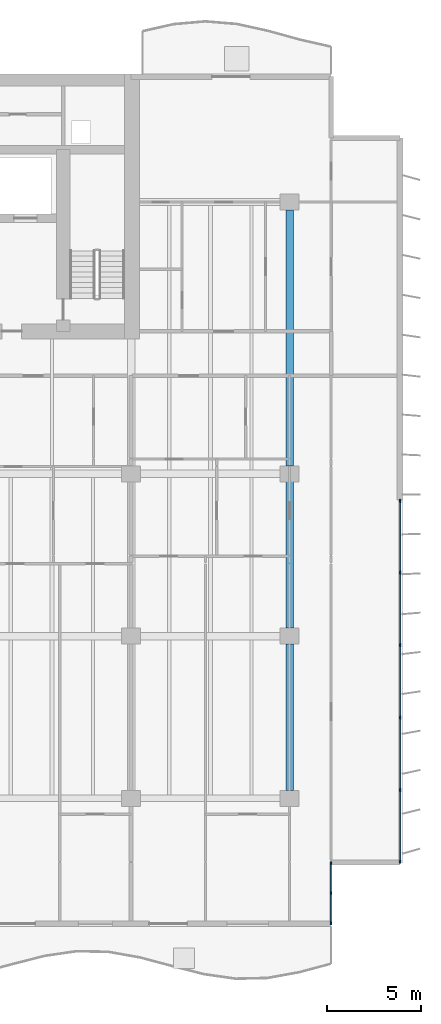
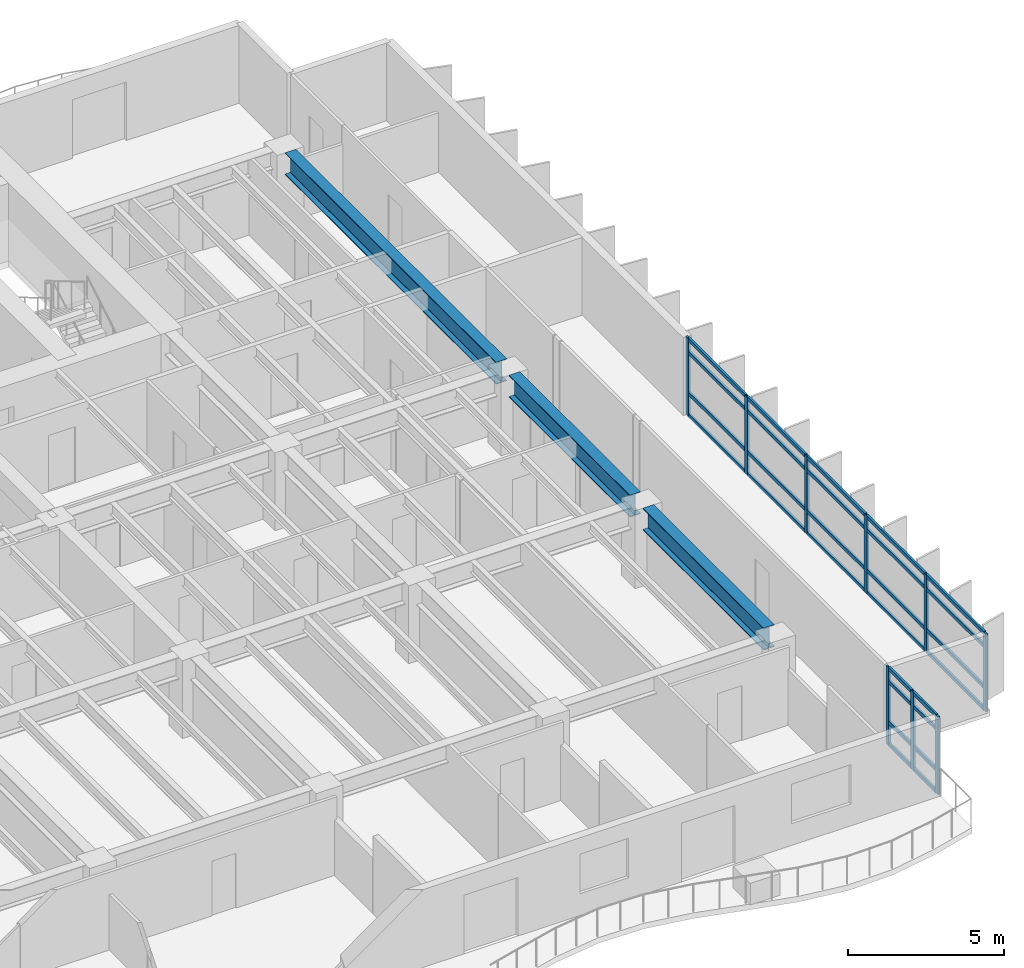
# One storey, part 4 of 17: 37 members, 3 beams, 2 elements without a shape of their own.
"""IFC4 building model written with IfcOpenShell, lengths in metres."""

from ifc_helpers import new_model, si_unit, direction, frame, origin, origin_2d, place, context, subcontext, project, spatial, rectangle, i_section, extrude, material, layer, layer_set, material_profile, profile_set, type_object, element, aggregate, save


model = new_model("IFC4")

# Units and contexts
model_context = context("Model", 3, precision=1e-05, world=origin(), true_north=direction((0.0, 1.0)))
body_context = subcontext(model_context, "Body", "Model", "MODEL_VIEW")
ifc_project = project(units=[si_unit("LENGTHUNIT", "METRE"), si_unit("AREAUNIT", "SQUARE_METRE"), si_unit("VOLUMEUNIT", "CUBIC_METRE"), si_unit("PLANEANGLEUNIT", "RADIAN"), si_unit("MASSUNIT", "GRAM", prefix="KILO")], contexts=[model_context])

# Site, building, storey
site_placement = place(None, origin())
site = spatial("IfcSite", under=ifc_project, at=site_placement, CompositionType="ELEMENT")
building_placement = place(site_placement, origin())
building = spatial("IfcBuilding", under=site, at=building_placement, Name="Caelmar Bay Residences", CompositionType="ELEMENT")
storey_placement = place(building_placement, frame((0.0, 0.0, 109.199951171875)))
storey = spatial("IfcBuildingStorey", under=building, at=storey_placement, Name="L29", CompositionType="ELEMENT", Elevation=109.199951171875)

# Beams
ifc_material_1 = material(Name="Steel ASTM A992 Grade 50", Category="steel")
ifc_material_profile_1 = material_profile(ifc_material_1, i_section(OverallWidth=0.40087890625, OverallDepth=0.861083984375, WebThickness=0.019775390625, FlangeThickness=0.032470703125, FilletRadius=0.017822265625, at=origin_2d()), Name="W33X221")
ifc_profile_set_1 = profile_set([ifc_material_profile_1], Name="Steel ASTM A992 Grade 50")
beam_type = type_object("IfcBeamType", Name="BM-GRD-W33X221", PredefinedType="BEAM", material=ifc_profile_set_1)
for number, where, z_axis, x_axis, name in (
    (1, (67.89990234375, 12.614990234375, 2.61962890625), (0.0, 1.0, 0.0), (-1.0, 0.0, 0.0), "L29 North-South Girder X=67.90 (12.2-20.8)"),
    (2, (67.89990234375, 21.215087890625, 2.61962890625), (0.0, 1.0, 0.0), (-1.0, 0.0, 0.0), "L29 North-South Girder X=67.90 (20.8-29.4)"),
):
    element("IfcBeam", number, at=place(storey_placement, frame(where, z_axis=z_axis, x_axis=x_axis)), inside=storey, type_object=beam_type, Name=name, PredefinedType="BEAM", context=body_context, shape_type="SweptSolid", body=[
        extrude(i_section(OverallWidth=0.40087890625, OverallDepth=0.861083984375, WebThickness=0.019775390625, FlangeThickness=0.032470703125, FilletRadius=0.017822265625, at=origin_2d()), origin(), (0.0, 0.0, 1.0), 7.77001953125),
    ])
beam_placement = place(storey_placement, frame((67.89990234375, 29.81494140625, 2.61962890625), z_axis=(0.0, 1.0, 0.0), x_axis=(-1.0, 0.0, 0.0)))
element("IfcBeam", 3, at=beam_placement, inside=storey, type_object=beam_type, Name="L29 North-South Girder X=67.90 (29.4-43.8)", PredefinedType="BEAM", context=body_context, shape_type="SweptSolid", body=[
    extrude(i_section(OverallWidth=0.40087890625, OverallDepth=0.861083984375, WebThickness=0.019775390625, FlangeThickness=0.032470703125, FilletRadius=0.017822265625, at=origin_2d()), origin(), (0.0, 0.0, 1.0), 13.570068359375),
])

# Curtain wall, members
ifc_material_2 = material(Name="Anodised bronze aluminium 6063-T6 and laminated glass", Category="aluminium")
ifc_layer_1 = layer(ifc_material_2, 0.179931640625)
ifc_layer_set_1 = layer_set([ifc_layer_1], Name="Anodised bronze aluminium 6063-T6 and laminated glass")
curtain_wall_type_1 = type_object("IfcCurtainWallType", Name="CW6-NTC", PredefinedType="NOTDEFINED", material=ifc_layer_set_1)
curtain_wall_1_placement = place(storey_placement, origin())
curtain_wall_1 = element("IfcCurtainWall", 4, at=curtain_wall_1_placement, inside=storey, type_object=curtain_wall_type_1, Name="CW6 curtain wall L29", PredefinedType="NOTDEFINED")
ifc_material_3 = material(Name="Anodised bronze aluminium 6063-T6", Category="aluminium")
ifc_material_profile_2 = material_profile(ifc_material_3, rectangle(XDim=0.080078125, YDim=0.179931640625, at=origin_2d()), Name="CWM-80X180")
ifc_profile_set_2 = profile_set([ifc_material_profile_2], Name="Anodised bronze aluminium 6063-T6")
member_type_1 = type_object("IfcMemberType", Name="CWM-180", PredefinedType="MULLION", material=ifc_profile_set_2)
member_1_placement = place(storey_placement, frame((70.10009765625, 5.590087890625, 0.0), z_axis=(0.0, 0.0, 1.0), x_axis=(-1.0, 0.0, 0.0)))
member_1 = element("IfcMember", 5, at=member_1_placement, type_object=member_type_1, Name="CW6 mullion 1", PredefinedType="MULLION", context=body_context, shape_type="SweptSolid", body=[
    extrude(rectangle(XDim=0.080078125, YDim=0.179931640625, at=origin_2d()), origin(), (0.0, 0.0, 1.0), 3.050048828125),
])
member_2_placement = place(storey_placement, frame((70.10009765625, 7.175048828125, 0.0), z_axis=(0.0, 0.0, 1.0), x_axis=(-1.0, 0.0, 0.0)))
member_2 = element("IfcMember", 6, at=member_2_placement, type_object=member_type_1, Name="CW6 mullion 2", PredefinedType="MULLION", context=body_context, shape_type="SweptSolid", body=[
    extrude(rectangle(XDim=0.080078125, YDim=0.179931640625, at=origin_2d()), origin(), (0.0, 0.0, 1.0), 3.050048828125),
])
member_3_placement = place(storey_placement, frame((70.10009765625, 8.760009765625, 0.0), z_axis=(0.0, 0.0, 1.0), x_axis=(-1.0, 0.0, 0.0)))
member_3 = element("IfcMember", 7, at=member_3_placement, type_object=member_type_1, Name="CW6 mullion 3", PredefinedType="MULLION", context=body_context, shape_type="SweptSolid", body=[
    extrude(rectangle(XDim=0.080078125, YDim=0.179931640625, at=origin_2d()), origin(), (0.0, 0.0, 1.0), 3.050048828125),
])

ifc_layer_2 = layer(ifc_material_2, 0.179931640625)
ifc_layer_set_2 = layer_set([ifc_layer_2], Name="Anodised bronze aluminium 6063-T6 and laminated glass")
curtain_wall_type_2 = type_object("IfcCurtainWallType", Name="CW3-Z2", PredefinedType="NOTDEFINED", material=ifc_layer_set_2)
curtain_wall_2_placement = place(storey_placement, origin())
curtain_wall_2 = element("IfcCurtainWall", 8, at=curtain_wall_2_placement, inside=storey, type_object=curtain_wall_type_2, Name="CW3 curtain wall L29", PredefinedType="NOTDEFINED")
member_4_placement = place(storey_placement, frame((73.75, 27.9599609375, 0.0), z_axis=(0.0, 0.0, 1.0), x_axis=(1.0, 0.0, 0.0)))
member_4 = element("IfcMember", 9, at=member_4_placement, type_object=member_type_1, Name="CW3 mullion 1", PredefinedType="MULLION", context=body_context, shape_type="SweptSolid", body=[
    extrude(rectangle(XDim=0.080078125, YDim=0.179931640625, at=origin_2d()), origin(), (0.0, 0.0, 1.0), 3.050048828125),
])
member_5_placement = place(storey_placement, frame((73.75, 24.159912109375, 0.0), z_axis=(0.0, 0.0, 1.0), x_axis=(1.0, 0.0, 0.0)))
member_5 = element("IfcMember", 10, at=member_5_placement, type_object=member_type_1, Name="CW3 mullion 2", PredefinedType="MULLION", context=body_context, shape_type="SweptSolid", body=[
    extrude(rectangle(XDim=0.080078125, YDim=0.179931640625, at=origin_2d()), origin(), (0.0, 0.0, 1.0), 3.050048828125),
])
member_6_placement = place(storey_placement, frame((73.75, 20.320068359375, 0.0), z_axis=(0.0, 0.0, 1.0), x_axis=(1.0, 0.0, 0.0)))
member_6 = element("IfcMember", 11, at=member_6_placement, type_object=member_type_1, Name="CW3 mullion 3", PredefinedType="MULLION", context=body_context, shape_type="SweptSolid", body=[
    extrude(rectangle(XDim=0.080078125, YDim=0.179931640625, at=origin_2d()), origin(), (0.0, 0.0, 1.0), 3.050048828125),
])
member_7_placement = place(storey_placement, frame((73.75, 16.47998046875, 0.0), z_axis=(0.0, 0.0, 1.0), x_axis=(1.0, 0.0, 0.0)))
member_7 = element("IfcMember", 12, at=member_7_placement, type_object=member_type_1, Name="CW3 mullion 4", PredefinedType="MULLION", context=body_context, shape_type="SweptSolid", body=[
    extrude(rectangle(XDim=0.080078125, YDim=0.179931640625, at=origin_2d()), origin(), (0.0, 0.0, 1.0), 3.050048828125),
])
member_8_placement = place(storey_placement, frame((73.75, 12.639892578125, 0.0), z_axis=(0.0, 0.0, 1.0), x_axis=(1.0, 0.0, 0.0)))
member_8 = element("IfcMember", 13, at=member_8_placement, type_object=member_type_1, Name="CW3 mullion 5", PredefinedType="MULLION", context=body_context, shape_type="SweptSolid", body=[
    extrude(rectangle(XDim=0.080078125, YDim=0.179931640625, at=origin_2d()), origin(), (0.0, 0.0, 1.0), 3.050048828125),
])
member_9_placement = place(storey_placement, frame((73.75, 8.840087890625, 0.0), z_axis=(0.0, 0.0, 1.0), x_axis=(1.0, 0.0, 0.0)))
member_9 = element("IfcMember", 14, at=member_9_placement, type_object=member_type_1, Name="CW3 mullion 6", PredefinedType="MULLION", context=body_context, shape_type="SweptSolid", body=[
    extrude(rectangle(XDim=0.080078125, YDim=0.179931640625, at=origin_2d()), origin(), (0.0, 0.0, 1.0), 3.050048828125),
])

# Member
ifc_material_profile_3 = material_profile(ifc_material_3, rectangle(XDim=0.080078125, YDim=0.139892578125, at=origin_2d()), Name="CWT-80X140")
ifc_profile_set_3 = profile_set([ifc_material_profile_3], Name="Anodised bronze aluminium 6063-T6")
member_type_2 = type_object("IfcMemberType", Name="CWT-140", PredefinedType="NOTDEFINED", material=ifc_profile_set_3)
member_10_placement = place(storey_placement, frame((70.10009765625, 5.6298828125, 0.0400390625), z_axis=(0.0, 1.0, 0.0), x_axis=(-1.0, 0.0, 0.0)))
member_10 = element("IfcMember", 15, at=member_10_placement, type_object=member_type_2, Name="CW6 transom 1.1", ObjectType="TRANSOM", PredefinedType="USERDEFINED", context=body_context, shape_type="SweptSolid", body=[
    extrude(rectangle(XDim=0.080078125, YDim=0.139892578125, at=origin_2d()), origin(), (0.0, 0.0, 1.0), 1.505126953125),
])

member_11_placement = place(storey_placement, frame((70.10009765625, 5.6298828125, 0.900146484375), z_axis=(0.0, 1.0, 0.0), x_axis=(-1.0, 0.0, 0.0)))
member_11 = element("IfcMember", 16, at=member_11_placement, type_object=member_type_2, Name="CW6 transom 1.2", ObjectType="TRANSOM", PredefinedType="USERDEFINED", context=body_context, shape_type="SweptSolid", body=[
    extrude(rectangle(XDim=0.080078125, YDim=0.139892578125, at=origin_2d()), origin(), (0.0, 0.0, 1.0), 1.505126953125),
])

member_12_placement = place(storey_placement, frame((70.10009765625, 5.6298828125, 2.5), z_axis=(0.0, 1.0, 0.0), x_axis=(-1.0, 0.0, 0.0)))
member_12 = element("IfcMember", 17, at=member_12_placement, type_object=member_type_2, Name="CW6 transom 1.3", ObjectType="TRANSOM", PredefinedType="USERDEFINED", context=body_context, shape_type="SweptSolid", body=[
    extrude(rectangle(XDim=0.080078125, YDim=0.139892578125, at=origin_2d()), origin(), (0.0, 0.0, 1.0), 1.505126953125),
])

member_13_placement = place(storey_placement, frame((70.10009765625, 5.6298828125, 3.010009765625), z_axis=(0.0, 1.0, 0.0), x_axis=(-1.0, 0.0, 0.0)))
member_13 = element("IfcMember", 18, at=member_13_placement, type_object=member_type_2, Name="CW6 transom 1.4", ObjectType="TRANSOM", PredefinedType="USERDEFINED", context=body_context, shape_type="SweptSolid", body=[
    extrude(rectangle(XDim=0.080078125, YDim=0.139892578125, at=origin_2d()), origin(), (0.0, 0.0, 1.0), 1.505126953125),
])

member_14_placement = place(storey_placement, frame((70.10009765625, 7.215087890625, 0.0400390625), z_axis=(0.0, 1.0, 0.0), x_axis=(-1.0, 0.0, 0.0)))
member_14 = element("IfcMember", 19, at=member_14_placement, type_object=member_type_2, Name="CW6 transom 2.1", ObjectType="TRANSOM", PredefinedType="USERDEFINED", context=body_context, shape_type="SweptSolid", body=[
    extrude(rectangle(XDim=0.080078125, YDim=0.139892578125, at=origin_2d()), origin(), (0.0, 0.0, 1.0), 1.5048828125),
])

member_15_placement = place(storey_placement, frame((70.10009765625, 7.215087890625, 0.900146484375), z_axis=(0.0, 1.0, 0.0), x_axis=(-1.0, 0.0, 0.0)))
member_15 = element("IfcMember", 20, at=member_15_placement, type_object=member_type_2, Name="CW6 transom 2.2", ObjectType="TRANSOM", PredefinedType="USERDEFINED", context=body_context, shape_type="SweptSolid", body=[
    extrude(rectangle(XDim=0.080078125, YDim=0.139892578125, at=origin_2d()), origin(), (0.0, 0.0, 1.0), 1.5048828125),
])

member_16_placement = place(storey_placement, frame((70.10009765625, 7.215087890625, 2.5), z_axis=(0.0, 1.0, 0.0), x_axis=(-1.0, 0.0, 0.0)))
member_16 = element("IfcMember", 21, at=member_16_placement, type_object=member_type_2, Name="CW6 transom 2.3", ObjectType="TRANSOM", PredefinedType="USERDEFINED", context=body_context, shape_type="SweptSolid", body=[
    extrude(rectangle(XDim=0.080078125, YDim=0.139892578125, at=origin_2d()), origin(), (0.0, 0.0, 1.0), 1.5048828125),
])

member_17_placement = place(storey_placement, frame((70.10009765625, 7.215087890625, 3.010009765625), z_axis=(0.0, 1.0, 0.0), x_axis=(-1.0, 0.0, 0.0)))
member_17 = element("IfcMember", 22, at=member_17_placement, type_object=member_type_2, Name="CW6 transom 2.4", ObjectType="TRANSOM", PredefinedType="USERDEFINED", context=body_context, shape_type="SweptSolid", body=[
    extrude(rectangle(XDim=0.080078125, YDim=0.139892578125, at=origin_2d()), origin(), (0.0, 0.0, 1.0), 1.5048828125),
])

aggregate(curtain_wall_1, [member_1, member_2, member_3, member_10, member_11, member_12, member_13, member_14, member_15, member_16, member_17])

member_18_placement = place(storey_placement, frame((73.75, 27.919921875, 0.0400390625), z_axis=(0.0, -1.0, 0.0), x_axis=(1.0, 0.0, 0.0)))
member_18 = element("IfcMember", 23, at=member_18_placement, type_object=member_type_2, Name="CW3 transom 1.1", ObjectType="TRANSOM", PredefinedType="USERDEFINED", context=body_context, shape_type="SweptSolid", body=[
    extrude(rectangle(XDim=0.080078125, YDim=0.139892578125, at=origin_2d()), origin(), (0.0, 0.0, 1.0), 3.719970703125),
])

member_19_placement = place(storey_placement, frame((73.75, 27.919921875, 0.900146484375), z_axis=(0.0, -1.0, 0.0), x_axis=(1.0, 0.0, 0.0)))
member_19 = element("IfcMember", 24, at=member_19_placement, type_object=member_type_2, Name="CW3 transom 1.2", ObjectType="TRANSOM", PredefinedType="USERDEFINED", context=body_context, shape_type="SweptSolid", body=[
    extrude(rectangle(XDim=0.080078125, YDim=0.139892578125, at=origin_2d()), origin(), (0.0, 0.0, 1.0), 3.719970703125),
])

member_20_placement = place(storey_placement, frame((73.75, 27.919921875, 2.5), z_axis=(0.0, -1.0, 0.0), x_axis=(1.0, 0.0, 0.0)))
member_20 = element("IfcMember", 25, at=member_20_placement, type_object=member_type_2, Name="CW3 transom 1.3", ObjectType="TRANSOM", PredefinedType="USERDEFINED", context=body_context, shape_type="SweptSolid", body=[
    extrude(rectangle(XDim=0.080078125, YDim=0.139892578125, at=origin_2d()), origin(), (0.0, 0.0, 1.0), 3.719970703125),
])

member_21_placement = place(storey_placement, frame((73.75, 27.919921875, 3.010009765625), z_axis=(0.0, -1.0, 0.0), x_axis=(1.0, 0.0, 0.0)))
member_21 = element("IfcMember", 26, at=member_21_placement, type_object=member_type_2, Name="CW3 transom 1.4", ObjectType="TRANSOM", PredefinedType="USERDEFINED", context=body_context, shape_type="SweptSolid", body=[
    extrude(rectangle(XDim=0.080078125, YDim=0.139892578125, at=origin_2d()), origin(), (0.0, 0.0, 1.0), 3.719970703125),
])

member_22_placement = place(storey_placement, frame((73.75, 24.1201171875, 0.0400390625), z_axis=(0.0, -1.0, 0.0), x_axis=(1.0, 0.0, 0.0)))
member_22 = element("IfcMember", 27, at=member_22_placement, type_object=member_type_2, Name="CW3 transom 2.1", ObjectType="TRANSOM", PredefinedType="USERDEFINED", context=body_context, shape_type="SweptSolid", body=[
    extrude(rectangle(XDim=0.080078125, YDim=0.139892578125, at=origin_2d()), origin(), (0.0, 0.0, 1.0), 3.760009765625),
])

member_23_placement = place(storey_placement, frame((73.75, 24.1201171875, 0.900146484375), z_axis=(0.0, -1.0, 0.0), x_axis=(1.0, 0.0, 0.0)))
member_23 = element("IfcMember", 28, at=member_23_placement, type_object=member_type_2, Name="CW3 transom 2.2", ObjectType="TRANSOM", PredefinedType="USERDEFINED", context=body_context, shape_type="SweptSolid", body=[
    extrude(rectangle(XDim=0.080078125, YDim=0.139892578125, at=origin_2d()), origin(), (0.0, 0.0, 1.0), 3.760009765625),
])

member_24_placement = place(storey_placement, frame((73.75, 24.1201171875, 2.5), z_axis=(0.0, -1.0, 0.0), x_axis=(1.0, 0.0, 0.0)))
member_24 = element("IfcMember", 29, at=member_24_placement, type_object=member_type_2, Name="CW3 transom 2.3", ObjectType="TRANSOM", PredefinedType="USERDEFINED", context=body_context, shape_type="SweptSolid", body=[
    extrude(rectangle(XDim=0.080078125, YDim=0.139892578125, at=origin_2d()), origin(), (0.0, 0.0, 1.0), 3.760009765625),
])

member_25_placement = place(storey_placement, frame((73.75, 24.1201171875, 3.010009765625), z_axis=(0.0, -1.0, 0.0), x_axis=(1.0, 0.0, 0.0)))
member_25 = element("IfcMember", 30, at=member_25_placement, type_object=member_type_2, Name="CW3 transom 2.4", ObjectType="TRANSOM", PredefinedType="USERDEFINED", context=body_context, shape_type="SweptSolid", body=[
    extrude(rectangle(XDim=0.080078125, YDim=0.139892578125, at=origin_2d()), origin(), (0.0, 0.0, 1.0), 3.760009765625),
])

member_26_placement = place(storey_placement, frame((73.75, 20.280029296875, 0.0400390625), z_axis=(0.0, -1.0, 0.0), x_axis=(1.0, 0.0, 0.0)))
member_26 = element("IfcMember", 31, at=member_26_placement, type_object=member_type_2, Name="CW3 transom 3.1", ObjectType="TRANSOM", PredefinedType="USERDEFINED", context=body_context, shape_type="SweptSolid", body=[
    extrude(rectangle(XDim=0.080078125, YDim=0.139892578125, at=origin_2d()), origin(), (0.0, 0.0, 1.0), 3.760009765625),
])

member_27_placement = place(storey_placement, frame((73.75, 20.280029296875, 0.900146484375), z_axis=(0.0, -1.0, 0.0), x_axis=(1.0, 0.0, 0.0)))
member_27 = element("IfcMember", 32, at=member_27_placement, type_object=member_type_2, Name="CW3 transom 3.2", ObjectType="TRANSOM", PredefinedType="USERDEFINED", context=body_context, shape_type="SweptSolid", body=[
    extrude(rectangle(XDim=0.080078125, YDim=0.139892578125, at=origin_2d()), origin(), (0.0, 0.0, 1.0), 3.760009765625),
])

member_28_placement = place(storey_placement, frame((73.75, 20.280029296875, 2.5), z_axis=(0.0, -1.0, 0.0), x_axis=(1.0, 0.0, 0.0)))
member_28 = element("IfcMember", 33, at=member_28_placement, type_object=member_type_2, Name="CW3 transom 3.3", ObjectType="TRANSOM", PredefinedType="USERDEFINED", context=body_context, shape_type="SweptSolid", body=[
    extrude(rectangle(XDim=0.080078125, YDim=0.139892578125, at=origin_2d()), origin(), (0.0, 0.0, 1.0), 3.760009765625),
])

member_29_placement = place(storey_placement, frame((73.75, 20.280029296875, 3.010009765625), z_axis=(0.0, -1.0, 0.0), x_axis=(1.0, 0.0, 0.0)))
member_29 = element("IfcMember", 34, at=member_29_placement, type_object=member_type_2, Name="CW3 transom 3.4", ObjectType="TRANSOM", PredefinedType="USERDEFINED", context=body_context, shape_type="SweptSolid", body=[
    extrude(rectangle(XDim=0.080078125, YDim=0.139892578125, at=origin_2d()), origin(), (0.0, 0.0, 1.0), 3.760009765625),
])

member_30_placement = place(storey_placement, frame((73.75, 16.43994140625, 0.0400390625), z_axis=(0.0, -1.0, 0.0), x_axis=(1.0, 0.0, 0.0)))
member_30 = element("IfcMember", 35, at=member_30_placement, type_object=member_type_2, Name="CW3 transom 4.1", ObjectType="TRANSOM", PredefinedType="USERDEFINED", context=body_context, shape_type="SweptSolid", body=[
    extrude(rectangle(XDim=0.080078125, YDim=0.139892578125, at=origin_2d()), origin(), (0.0, 0.0, 1.0), 3.760009765625),
])

member_31_placement = place(storey_placement, frame((73.75, 16.43994140625, 0.900146484375), z_axis=(0.0, -1.0, 0.0), x_axis=(1.0, 0.0, 0.0)))
member_31 = element("IfcMember", 36, at=member_31_placement, type_object=member_type_2, Name="CW3 transom 4.2", ObjectType="TRANSOM", PredefinedType="USERDEFINED", context=body_context, shape_type="SweptSolid", body=[
    extrude(rectangle(XDim=0.080078125, YDim=0.139892578125, at=origin_2d()), origin(), (0.0, 0.0, 1.0), 3.760009765625),
])

member_32_placement = place(storey_placement, frame((73.75, 16.43994140625, 2.5), z_axis=(0.0, -1.0, 0.0), x_axis=(1.0, 0.0, 0.0)))
member_32 = element("IfcMember", 37, at=member_32_placement, type_object=member_type_2, Name="CW3 transom 4.3", ObjectType="TRANSOM", PredefinedType="USERDEFINED", context=body_context, shape_type="SweptSolid", body=[
    extrude(rectangle(XDim=0.080078125, YDim=0.139892578125, at=origin_2d()), origin(), (0.0, 0.0, 1.0), 3.760009765625),
])

member_33_placement = place(storey_placement, frame((73.75, 16.43994140625, 3.010009765625), z_axis=(0.0, -1.0, 0.0), x_axis=(1.0, 0.0, 0.0)))
member_33 = element("IfcMember", 38, at=member_33_placement, type_object=member_type_2, Name="CW3 transom 4.4", ObjectType="TRANSOM", PredefinedType="USERDEFINED", context=body_context, shape_type="SweptSolid", body=[
    extrude(rectangle(XDim=0.080078125, YDim=0.139892578125, at=origin_2d()), origin(), (0.0, 0.0, 1.0), 3.760009765625),
])

member_34_placement = place(storey_placement, frame((73.75, 12.60009765625, 0.0400390625), z_axis=(0.0, -1.0, 0.0), x_axis=(1.0, 0.0, 0.0)))
member_34 = element("IfcMember", 39, at=member_34_placement, type_object=member_type_2, Name="CW3 transom 5.1", ObjectType="TRANSOM", PredefinedType="USERDEFINED", context=body_context, shape_type="SweptSolid", body=[
    extrude(rectangle(XDim=0.080078125, YDim=0.139892578125, at=origin_2d()), origin(), (0.0, 0.0, 1.0), 3.72021484375),
])

member_35_placement = place(storey_placement, frame((73.75, 12.60009765625, 0.900146484375), z_axis=(0.0, -1.0, 0.0), x_axis=(1.0, 0.0, 0.0)))
member_35 = element("IfcMember", 40, at=member_35_placement, type_object=member_type_2, Name="CW3 transom 5.2", ObjectType="TRANSOM", PredefinedType="USERDEFINED", context=body_context, shape_type="SweptSolid", body=[
    extrude(rectangle(XDim=0.080078125, YDim=0.139892578125, at=origin_2d()), origin(), (0.0, 0.0, 1.0), 3.72021484375),
])

member_36_placement = place(storey_placement, frame((73.75, 12.60009765625, 2.5), z_axis=(0.0, -1.0, 0.0), x_axis=(1.0, 0.0, 0.0)))
member_36 = element("IfcMember", 41, at=member_36_placement, type_object=member_type_2, Name="CW3 transom 5.3", ObjectType="TRANSOM", PredefinedType="USERDEFINED", context=body_context, shape_type="SweptSolid", body=[
    extrude(rectangle(XDim=0.080078125, YDim=0.139892578125, at=origin_2d()), origin(), (0.0, 0.0, 1.0), 3.72021484375),
])

member_37_placement = place(storey_placement, frame((73.75, 12.60009765625, 3.010009765625), z_axis=(0.0, -1.0, 0.0), x_axis=(1.0, 0.0, 0.0)))
member_37 = element("IfcMember", 42, at=member_37_placement, type_object=member_type_2, Name="CW3 transom 5.4", ObjectType="TRANSOM", PredefinedType="USERDEFINED", context=body_context, shape_type="SweptSolid", body=[
    extrude(rectangle(XDim=0.080078125, YDim=0.139892578125, at=origin_2d()), origin(), (0.0, 0.0, 1.0), 3.72021484375),
])

aggregate(curtain_wall_2, [member_4, member_5, member_6, member_7, member_8, member_9, member_18, member_19, member_20, member_21, member_22, member_23, member_24, member_25, member_26, member_27, member_28, member_29, member_30, member_31, member_32, member_33, member_34, member_35, member_36, member_37])

save(model, "model.ifc")
